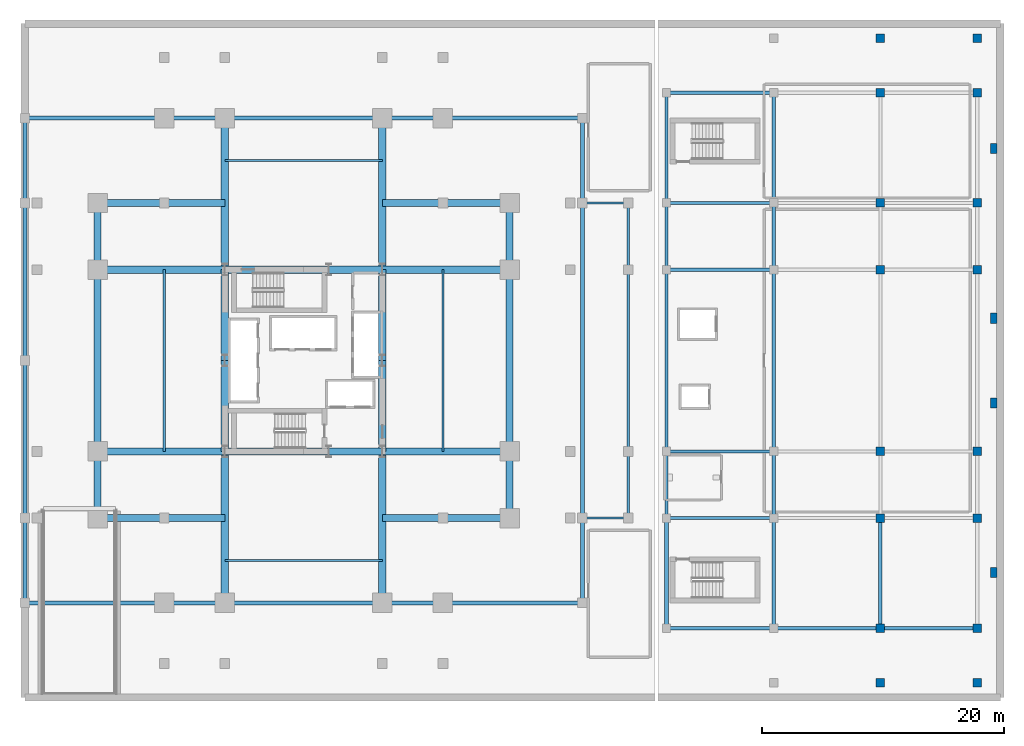
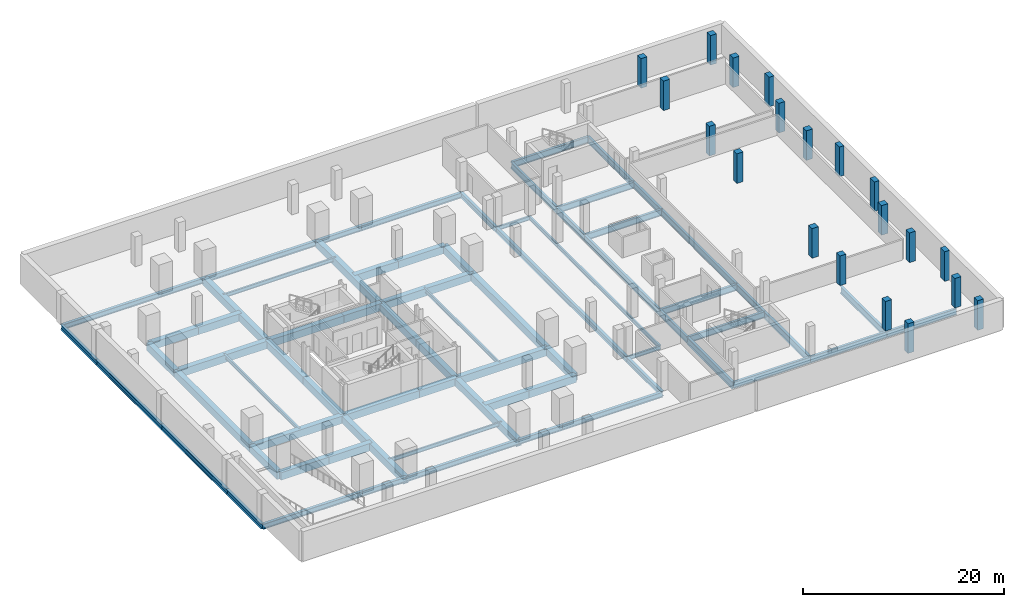
# One storey, part 2 of 11: 75 beams, 20 columns.
"""IFC4 building model written with IfcOpenShell, lengths in metres."""

from ifc_helpers import new_model, si_unit, direction, frame, origin, origin_2d, place, context, subcontext, project, spatial, rectangle, i_section, extrude, material, material_profile, profile_set, type_object, element, save


model = new_model("IFC4")

# Units and contexts
model_context = context("Model", 3, precision=1e-05, world=origin(), true_north=direction((0.0, 1.0)))
body_context = subcontext(model_context, "Body", "Model", "MODEL_VIEW")
ifc_project = project(units=[si_unit("LENGTHUNIT", "METRE"), si_unit("AREAUNIT", "SQUARE_METRE"), si_unit("VOLUMEUNIT", "CUBIC_METRE"), si_unit("PLANEANGLEUNIT", "RADIAN"), si_unit("MASSUNIT", "GRAM", prefix="KILO")], contexts=[model_context])

# Site, building, storey
site_placement = place(None, origin())
site = spatial("IfcSite", under=ifc_project, at=site_placement, CompositionType="ELEMENT")
building_placement = place(site_placement, origin())
building = spatial("IfcBuilding", under=site, at=building_placement, Name="Barlavira Tower and Art Museum", CompositionType="ELEMENT")
storey_placement = place(building_placement, frame((0.0, 0.0, -3.60009765625)))
storey = spatial("IfcBuildingStorey", under=building, at=storey_placement, Name="B01", CompositionType="ELEMENT", Elevation=-3.60009765625)

# Columns
ifc_material_1 = material(Name="Concrete C50", Category="concrete")
ifc_material_profile_1 = material_profile(ifc_material_1, rectangle(XDim=0.550048828125, YDim=0.85009765625, at=origin_2d()), Name="RC-PIL 550x850")
ifc_profile_set_1 = profile_set([ifc_material_profile_1], Name="Concrete C50")
column_type_1 = type_object("IfcColumnType", Name="Museum Coastal Facade Pilaster 550x850 Concrete C50", PredefinedType="PILASTER", material=ifc_profile_set_1)
for number, where, z_axis, x_axis, name in (
    (1, (56.949951171875, -17.5, 0.0), (0.0, 0.0, 1.0), (1.0, 0.0, 0.0), "B01 Museum Facade Pilaster 1"),
    (2, (56.949951171875, -3.5, 0.0), (0.0, 0.0, 1.0), (1.0, 0.0, 0.0), "B01 Museum Facade Pilaster 2"),
    (3, (56.949951171875, 3.5, 0.0), (0.0, 0.0, 1.0), (1.0, 0.0, 0.0), "B01 Museum Facade Pilaster 3"),
    (4, (56.949951171875, 17.5, 0.0), (0.0, 0.0, 1.0), (1.0, 0.0, 0.0), "B01 Museum Facade Pilaster 4"),
):
    element("IfcColumn", number, at=place(storey_placement, frame(where, z_axis=z_axis, x_axis=x_axis)), inside=storey, type_object=column_type_1, Name=name, PredefinedType="PILASTER", context=body_context, shape_type="SweptSolid", body=[
        extrude(rectangle(XDim=0.550048828125, YDim=0.85009765625, at=origin_2d()), origin(), (0.0, 0.0, 1.0), 3.60009765625),
    ])
ifc_material_profile_2 = material_profile(ifc_material_1, rectangle(XDim=0.699951171875, YDim=0.699951171875, at=origin_2d()), Name="RC-COL 700x700")
ifc_profile_set_2 = profile_set([ifc_material_profile_2], Name="Concrete C50")
column_type_2 = type_object("IfcColumnType", Name="Museum Frame Column 700x700 Concrete C50", PredefinedType="COLUMN", material=ifc_profile_set_2)
for number, where, z_axis, x_axis, name in (
    (5, (47.60009765625, -26.60009765625, 0.0), (0.0, 0.0, 1.0), (1.0, 0.0, 0.0), "B01 Pergola Column 2"),
    (6, (55.60009765625, -26.60009765625, 0.0), (0.0, 0.0, 1.0), (1.0, 0.0, 0.0), "B01 Pergola Column 3"),
    (7, (47.60009765625, 26.60009765625, 0.0), (0.0, 0.0, 1.0), (1.0, 0.0, 0.0), "B01 Pergola Column 5"),
    (8, (55.60009765625, 26.60009765625, 0.0), (0.0, 0.0, 1.0), (1.0, 0.0, 0.0), "B01 Pergola Column 6"),
    (9, (47.60009765625, -22.10009765625, 0.0), (0.0, 0.0, 1.0), (1.0, 0.0, 0.0), "B01 Museum Column 3-1"),
    (10, (47.60009765625, -13.0, 0.0), (0.0, 0.0, 1.0), (1.0, 0.0, 0.0), "B01 Museum Column 3-2"),
    (11, (47.60009765625, -7.5, 0.0), (0.0, 0.0, 1.0), (1.0, 0.0, 0.0), "B01 Museum Column 3-3"),
    (12, (47.60009765625, 7.5, 0.0), (0.0, 0.0, 1.0), (1.0, 0.0, 0.0), "B01 Museum Column 3-4"),
    (13, (47.60009765625, 13.0, 0.0), (0.0, 0.0, 1.0), (1.0, 0.0, 0.0), "B01 Museum Column 3-5"),
    (14, (47.60009765625, 22.10009765625, 0.0), (0.0, 0.0, 1.0), (1.0, 0.0, 0.0), "B01 Museum Column 3-6"),
    (15, (55.60009765625, -22.10009765625, 0.0), (0.0, 0.0, 1.0), (1.0, 0.0, 0.0), "B01 Museum Column 4-1"),
    (16, (55.60009765625, -13.0, 0.0), (0.0, 0.0, 1.0), (1.0, 0.0, 0.0), "B01 Museum Column 4-2"),
    (17, (55.60009765625, -7.5, 0.0), (0.0, 0.0, 1.0), (1.0, 0.0, 0.0), "B01 Museum Column 4-3"),
    (18, (55.60009765625, 7.5, 0.0), (0.0, 0.0, 1.0), (1.0, 0.0, 0.0), "B01 Museum Column 4-4"),
    (19, (55.60009765625, 13.0, 0.0), (0.0, 0.0, 1.0), (1.0, 0.0, 0.0), "B01 Museum Column 4-5"),
    (20, (55.60009765625, 22.10009765625, 0.0), (0.0, 0.0, 1.0), (1.0, 0.0, 0.0), "B01 Museum Column 4-6"),
):
    element("IfcColumn", number, at=place(storey_placement, frame(where, z_axis=z_axis, x_axis=x_axis)), inside=storey, type_object=column_type_2, Name=name, PredefinedType="COLUMN", context=body_context, shape_type="SweptSolid", body=[
        extrude(rectangle(XDim=0.699951171875, YDim=0.699951171875, at=origin_2d()), origin(), (0.0, 0.0, 1.0), 3.60009765625),
    ])

# Beams
ifc_material_2 = material(Name="Steel S355", Category="steel")
ifc_material_profile_3 = material_profile(ifc_material_2, i_section(OverallWidth=0.194091796875, OverallDepth=0.468994140625, WebThickness=0.0126953125, FlangeThickness=0.0205078125, at=origin_2d()), Name="W460x106.0")
ifc_profile_set_3 = profile_set([ifc_material_profile_3], Name="Steel S355")
beam_type_1 = type_object("IfcBeamType", Name="Covered Arcade Roof Girder W460x106 Steel S355", PredefinedType="BEAM", material=ifc_profile_set_3)
for number, where, z_axis, x_axis, name in (
    (21, (23.0, -13.0, -0.534423828125), (1.0, 0.0, 0.0), (0.0, 1.0, 0.0), "B01 Arcade West Girder 1"),
    (22, (23.0, 13.0, -0.534423828125), (1.0, 0.0, 0.0), (0.0, 1.0, 0.0), "B01 Arcade West Girder 2"),
):
    element("IfcBeam", number, at=place(storey_placement, frame(where, z_axis=z_axis, x_axis=x_axis)), inside=storey, type_object=beam_type_1, Name=name, PredefinedType="BEAM", context=body_context, shape_type="SweptSolid", body=[
        extrude(i_section(OverallWidth=0.194091796875, OverallDepth=0.468994140625, WebThickness=0.0126953125, FlangeThickness=0.0205078125, at=origin_2d()), origin(), (0.0, 0.0, 1.0), 3.800048828125),
    ])
beam_1_placement = place(storey_placement, frame((26.800048828125, -13.0, -0.534423828125), z_axis=(0.0, 1.0, 0.0), x_axis=(-1.0, 0.0, 0.0)))
element("IfcBeam", 23, at=beam_1_placement, inside=storey, type_object=beam_type_1, Name="B01 Arcade Longitudinal Beam 1", PredefinedType="BEAM", context=body_context, shape_type="SweptSolid", body=[
    extrude(i_section(OverallWidth=0.194091796875, OverallDepth=0.468994140625, WebThickness=0.0126953125, FlangeThickness=0.0205078125, at=origin_2d()), origin(), (0.0, 0.0, 1.0), 5.5),
])
beam_2_placement = place(storey_placement, frame((26.800048828125, -7.5, -0.534423828125), z_axis=(0.0, 1.0, 0.0), x_axis=(-1.0, 0.0, 0.0)))
element("IfcBeam", 24, at=beam_2_placement, inside=storey, type_object=beam_type_1, Name="B01 Arcade Longitudinal Beam 2", PredefinedType="BEAM", context=body_context, shape_type="SweptSolid", body=[
    extrude(i_section(OverallWidth=0.194091796875, OverallDepth=0.468994140625, WebThickness=0.0126953125, FlangeThickness=0.0205078125, at=origin_2d()), origin(), (0.0, 0.0, 1.0), 15.0),
])
beam_3_placement = place(storey_placement, frame((26.800048828125, 7.5, -0.534423828125), z_axis=(0.0, 1.0, 0.0), x_axis=(-1.0, 0.0, 0.0)))
element("IfcBeam", 25, at=beam_3_placement, inside=storey, type_object=beam_type_1, Name="B01 Arcade Longitudinal Beam 3", PredefinedType="BEAM", context=body_context, shape_type="SweptSolid", body=[
    extrude(i_section(OverallWidth=0.194091796875, OverallDepth=0.468994140625, WebThickness=0.0126953125, FlangeThickness=0.0205078125, at=origin_2d()), origin(), (0.0, 0.0, 1.0), 5.5),
])
ifc_material_profile_4 = material_profile(ifc_material_2, i_section(OverallWidth=0.2939453125, OverallDepth=0.85107421875, WebThickness=0.017333984375, FlangeThickness=0.0283203125, at=origin_2d()), Name="W840x251.0")
ifc_profile_set_4 = profile_set([ifc_material_profile_4], Name="Steel S355")
beam_type_2 = type_object("IfcBeamType", Name="Museum Auditorium Heavy Girder W840x251 Steel S355", PredefinedType="BEAM", material=ifc_profile_set_4)
for number, where, z_axis, x_axis, name in (
    (26, (29.949951171875, -22.10009765625, -0.725341796875), (0.0, 1.0, 0.0), (-1.0, 0.0, 0.0), "B01 Museum Girder Y 1-1"),
    (27, (38.800048828125, -22.10009765625, -0.725341796875), (0.0, 1.0, 0.0), (-1.0, 0.0, 0.0), "B01 Museum Girder Y 2-1"),
    (28, (47.60009765625, -22.10009765625, -0.725341796875), (0.0, 1.0, 0.0), (-1.0, 0.0, 0.0), "B01 Museum Girder Y 3-1"),
):
    element("IfcBeam", number, at=place(storey_placement, frame(where, z_axis=z_axis, x_axis=x_axis)), inside=storey, type_object=beam_type_2, Name=name, PredefinedType="BEAM", context=body_context, shape_type="SweptSolid", body=[
        extrude(i_section(OverallWidth=0.2939453125, OverallDepth=0.85107421875, WebThickness=0.017333984375, FlangeThickness=0.0283203125, at=origin_2d()), origin(), (0.0, 0.0, 1.0), 9.10009765625),
    ])
ifc_material_profile_5 = material_profile(ifc_material_2, i_section(OverallWidth=0.26904296875, OverallDepth=0.76806640625, WebThickness=0.016845703125, FlangeThickness=0.026611328125, at=origin_2d()), Name="W760x220.0")
ifc_profile_set_5 = profile_set([ifc_material_profile_5], Name="Steel S355")
beam_type_3 = type_object("IfcBeamType", Name="Museum Long-Span Gallery Girder W760x220 Steel S355", PredefinedType="BEAM", material=ifc_profile_set_5)
beam_4_placement = place(storey_placement, frame((29.949951171875, -13.0, -0.683837890625), z_axis=(0.0, 1.0, 0.0), x_axis=(-1.0, 0.0, 0.0)))
element("IfcBeam", 29, at=beam_4_placement, inside=storey, type_object=beam_type_3, Name="B01 Museum Girder Y 1-2", PredefinedType="BEAM", context=body_context, shape_type="SweptSolid", body=[
    extrude(i_section(OverallWidth=0.26904296875, OverallDepth=0.76806640625, WebThickness=0.016845703125, FlangeThickness=0.026611328125, at=origin_2d()), origin(), (0.0, 0.0, 1.0), 5.5),
])
beam_5_placement = place(storey_placement, frame((29.949951171875, -7.5, -0.683837890625), z_axis=(0.0, 1.0, 0.0), x_axis=(-1.0, 0.0, 0.0)))
element("IfcBeam", 30, at=beam_5_placement, inside=storey, type_object=beam_type_3, Name="B01 Museum Girder Y 1-3", PredefinedType="BEAM", context=body_context, shape_type="SweptSolid", body=[
    extrude(i_section(OverallWidth=0.26904296875, OverallDepth=0.76806640625, WebThickness=0.016845703125, FlangeThickness=0.026611328125, at=origin_2d()), origin(), (0.0, 0.0, 1.0), 15.0),
])
beam_6_placement = place(storey_placement, frame((29.949951171875, 7.5, -0.683837890625), z_axis=(0.0, 1.0, 0.0), x_axis=(-1.0, 0.0, 0.0)))
element("IfcBeam", 31, at=beam_6_placement, inside=storey, type_object=beam_type_3, Name="B01 Museum Girder Y 1-4", PredefinedType="BEAM", context=body_context, shape_type="SweptSolid", body=[
    extrude(i_section(OverallWidth=0.26904296875, OverallDepth=0.76806640625, WebThickness=0.016845703125, FlangeThickness=0.026611328125, at=origin_2d()), origin(), (0.0, 0.0, 1.0), 5.5),
])
beam_7_placement = place(storey_placement, frame((29.949951171875, 13.0, -0.683837890625), z_axis=(0.0, 1.0, 0.0), x_axis=(-1.0, 0.0, 0.0)))
element("IfcBeam", 32, at=beam_7_placement, inside=storey, type_object=beam_type_3, Name="B01 Museum Girder Y 1-5", PredefinedType="BEAM", context=body_context, shape_type="SweptSolid", body=[
    extrude(i_section(OverallWidth=0.26904296875, OverallDepth=0.76806640625, WebThickness=0.016845703125, FlangeThickness=0.026611328125, at=origin_2d()), origin(), (0.0, 0.0, 1.0), 9.10009765625),
])
beam_8_placement = place(storey_placement, frame((38.800048828125, -13.0, -0.683837890625), z_axis=(0.0, 1.0, 0.0), x_axis=(-1.0, 0.0, 0.0)))
element("IfcBeam", 33, at=beam_8_placement, inside=storey, type_object=beam_type_3, Name="B01 Museum Girder Y 2-2", PredefinedType="BEAM", context=body_context, shape_type="SweptSolid", body=[
    extrude(i_section(OverallWidth=0.26904296875, OverallDepth=0.76806640625, WebThickness=0.016845703125, FlangeThickness=0.026611328125, at=origin_2d()), origin(), (0.0, 0.0, 1.0), 5.5),
])
beam_9_placement = place(storey_placement, frame((38.800048828125, -7.5, -0.683837890625), z_axis=(0.0, 1.0, 0.0), x_axis=(-1.0, 0.0, 0.0)))
element("IfcBeam", 34, at=beam_9_placement, inside=storey, type_object=beam_type_3, Name="B01 Museum Girder Y 2-3", PredefinedType="BEAM", context=body_context, shape_type="SweptSolid", body=[
    extrude(i_section(OverallWidth=0.26904296875, OverallDepth=0.76806640625, WebThickness=0.016845703125, FlangeThickness=0.026611328125, at=origin_2d()), origin(), (0.0, 0.0, 1.0), 15.0),
])
beam_10_placement = place(storey_placement, frame((38.800048828125, 7.5, -0.683837890625), z_axis=(0.0, 1.0, 0.0), x_axis=(-1.0, 0.0, 0.0)))
element("IfcBeam", 35, at=beam_10_placement, inside=storey, type_object=beam_type_3, Name="B01 Museum Girder Y 2-4", PredefinedType="BEAM", context=body_context, shape_type="SweptSolid", body=[
    extrude(i_section(OverallWidth=0.26904296875, OverallDepth=0.76806640625, WebThickness=0.016845703125, FlangeThickness=0.026611328125, at=origin_2d()), origin(), (0.0, 0.0, 1.0), 5.5),
])
beam_11_placement = place(storey_placement, frame((38.800048828125, 13.0, -0.683837890625), z_axis=(0.0, 1.0, 0.0), x_axis=(-1.0, 0.0, 0.0)))
element("IfcBeam", 36, at=beam_11_placement, inside=storey, type_object=beam_type_3, Name="B01 Museum Girder Y 2-5", PredefinedType="BEAM", context=body_context, shape_type="SweptSolid", body=[
    extrude(i_section(OverallWidth=0.26904296875, OverallDepth=0.76806640625, WebThickness=0.016845703125, FlangeThickness=0.026611328125, at=origin_2d()), origin(), (0.0, 0.0, 1.0), 9.10009765625),
])
beam_12_placement = place(storey_placement, frame((29.949951171875, -22.10009765625, -0.683837890625), z_axis=(1.0, 0.0, 0.0), x_axis=(0.0, 1.0, 0.0)))
element("IfcBeam", 37, at=beam_12_placement, inside=storey, type_object=beam_type_3, Name="B01 Museum Girder X 1-1", PredefinedType="BEAM", context=body_context, shape_type="SweptSolid", body=[
    extrude(i_section(OverallWidth=0.26904296875, OverallDepth=0.76806640625, WebThickness=0.016845703125, FlangeThickness=0.026611328125, at=origin_2d()), origin(), (0.0, 0.0, 1.0), 8.85009765625),
])
beam_13_placement = place(storey_placement, frame((38.800048828125, -22.10009765625, -0.683837890625), z_axis=(1.0, 0.0, 0.0), x_axis=(0.0, 1.0, 0.0)))
element("IfcBeam", 38, at=beam_13_placement, inside=storey, type_object=beam_type_3, Name="B01 Museum Girder X 1-2", PredefinedType="BEAM", context=body_context, shape_type="SweptSolid", body=[
    extrude(i_section(OverallWidth=0.26904296875, OverallDepth=0.76806640625, WebThickness=0.016845703125, FlangeThickness=0.026611328125, at=origin_2d()), origin(), (0.0, 0.0, 1.0), 8.800048828125),
])
beam_14_placement = place(storey_placement, frame((47.60009765625, -22.10009765625, -0.683837890625), z_axis=(1.0, 0.0, 0.0), x_axis=(0.0, 1.0, 0.0)))
element("IfcBeam", 39, at=beam_14_placement, inside=storey, type_object=beam_type_3, Name="B01 Museum Girder X 1-3", PredefinedType="BEAM", context=body_context, shape_type="SweptSolid", body=[
    extrude(i_section(OverallWidth=0.26904296875, OverallDepth=0.76806640625, WebThickness=0.016845703125, FlangeThickness=0.026611328125, at=origin_2d()), origin(), (0.0, 0.0, 1.0), 8.0),
])
for number, where, z_axis, x_axis, name in (
    (40, (29.949951171875, -13.0, -0.683837890625), (1.0, 0.0, 0.0), (0.0, 1.0, 0.0), "B01 Museum Girder X 2-1"),
    (41, (29.949951171875, -7.5, -0.683837890625), (1.0, 0.0, 0.0), (0.0, 1.0, 0.0), "B01 Museum Girder X 3-1"),
    (42, (29.949951171875, 7.5, -0.683837890625), (1.0, 0.0, 0.0), (0.0, 1.0, 0.0), "B01 Museum Girder X 4-1"),
    (43, (29.949951171875, 13.0, -0.683837890625), (1.0, 0.0, 0.0), (0.0, 1.0, 0.0), "B01 Museum Girder X 5-1"),
    (44, (29.949951171875, 22.10009765625, -0.683837890625), (1.0, 0.0, 0.0), (0.0, 1.0, 0.0), "B01 Museum Girder X 6-1"),
):
    element("IfcBeam", number, at=place(storey_placement, frame(where, z_axis=z_axis, x_axis=x_axis)), inside=storey, type_object=beam_type_3, Name=name, PredefinedType="BEAM", context=body_context, shape_type="SweptSolid", body=[
        extrude(i_section(OverallWidth=0.26904296875, OverallDepth=0.76806640625, WebThickness=0.016845703125, FlangeThickness=0.026611328125, at=origin_2d()), origin(), (0.0, 0.0, 1.0), 8.85009765625),
    ])
ifc_material_profile_6 = material_profile(ifc_material_2, i_section(OverallWidth=0.327880859375, OverallDepth=0.62890625, WebThickness=0.013916015625, FlangeThickness=0.021484375, at=origin_2d()), Name="W610x174.0")
ifc_profile_set_6 = profile_set([ifc_material_profile_6], Name="Steel S355")
beam_type_4 = type_object("IfcBeamType", Name="Perimeter Spandrel Edge Beam W610x174 Steel S355", PredefinedType="SPANDREL", material=ifc_profile_set_6)
beam_15_placement = place(storey_placement, frame((-23.0, -20.0, -0.614501953125), z_axis=(1.0, 0.0, 0.0), x_axis=(0.0, 1.0, 0.0)))
element("IfcBeam", 45, at=beam_15_placement, inside=storey, type_object=beam_type_4, Name="B01 Podium Spandrel PS1", PredefinedType="SPANDREL", context=body_context, shape_type="SweptSolid", body=[
    extrude(i_section(OverallWidth=0.327880859375, OverallDepth=0.62890625, WebThickness=0.013916015625, FlangeThickness=0.021484375, at=origin_2d()), origin(), (0.0, 0.0, 1.0), 11.5),
])
beam_16_placement = place(storey_placement, frame((-11.5, -20.0, -0.614501953125), z_axis=(1.0, 0.0, 0.0), x_axis=(0.0, 1.0, 0.0)))
element("IfcBeam", 46, at=beam_16_placement, inside=storey, type_object=beam_type_4, Name="B01 Podium Spandrel PS2", PredefinedType="SPANDREL", context=body_context, shape_type="SweptSolid", body=[
    extrude(i_section(OverallWidth=0.327880859375, OverallDepth=0.62890625, WebThickness=0.013916015625, FlangeThickness=0.021484375, at=origin_2d()), origin(), (0.0, 0.0, 1.0), 5.0),
])
beam_17_placement = place(storey_placement, frame((-6.5, -20.0, -0.614501953125), z_axis=(1.0, 0.0, 0.0), x_axis=(0.0, 1.0, 0.0)))
element("IfcBeam", 47, at=beam_17_placement, inside=storey, type_object=beam_type_4, Name="B01 Podium Spandrel PS3", PredefinedType="SPANDREL", context=body_context, shape_type="SweptSolid", body=[
    extrude(i_section(OverallWidth=0.327880859375, OverallDepth=0.62890625, WebThickness=0.013916015625, FlangeThickness=0.021484375, at=origin_2d()), origin(), (0.0, 0.0, 1.0), 13.0),
])
beam_18_placement = place(storey_placement, frame((6.5, -20.0, -0.614501953125), z_axis=(1.0, 0.0, 0.0), x_axis=(0.0, 1.0, 0.0)))
element("IfcBeam", 48, at=beam_18_placement, inside=storey, type_object=beam_type_4, Name="B01 Podium Spandrel PS4", PredefinedType="SPANDREL", context=body_context, shape_type="SweptSolid", body=[
    extrude(i_section(OverallWidth=0.327880859375, OverallDepth=0.62890625, WebThickness=0.013916015625, FlangeThickness=0.021484375, at=origin_2d()), origin(), (0.0, 0.0, 1.0), 5.0),
])
for number, where, z_axis, x_axis, name in (
    (49, (11.5, -20.0, -0.614501953125), (1.0, 0.0, 0.0), (0.0, 1.0, 0.0), "B01 Podium Spandrel PS5"),
    (50, (-23.0, 20.0, -0.614501953125), (1.0, 0.0, 0.0), (0.0, 1.0, 0.0), "B01 Podium Spandrel PN1"),
):
    element("IfcBeam", number, at=place(storey_placement, frame(where, z_axis=z_axis, x_axis=x_axis)), inside=storey, type_object=beam_type_4, Name=name, PredefinedType="SPANDREL", context=body_context, shape_type="SweptSolid", body=[
        extrude(i_section(OverallWidth=0.327880859375, OverallDepth=0.62890625, WebThickness=0.013916015625, FlangeThickness=0.021484375, at=origin_2d()), origin(), (0.0, 0.0, 1.0), 11.5),
    ])
beam_19_placement = place(storey_placement, frame((-11.5, 20.0, -0.614501953125), z_axis=(1.0, 0.0, 0.0), x_axis=(0.0, 1.0, 0.0)))
element("IfcBeam", 51, at=beam_19_placement, inside=storey, type_object=beam_type_4, Name="B01 Podium Spandrel PN2", PredefinedType="SPANDREL", context=body_context, shape_type="SweptSolid", body=[
    extrude(i_section(OverallWidth=0.327880859375, OverallDepth=0.62890625, WebThickness=0.013916015625, FlangeThickness=0.021484375, at=origin_2d()), origin(), (0.0, 0.0, 1.0), 5.0),
])
beam_20_placement = place(storey_placement, frame((-6.5, 20.0, -0.614501953125), z_axis=(1.0, 0.0, 0.0), x_axis=(0.0, 1.0, 0.0)))
element("IfcBeam", 52, at=beam_20_placement, inside=storey, type_object=beam_type_4, Name="B01 Podium Spandrel PN3", PredefinedType="SPANDREL", context=body_context, shape_type="SweptSolid", body=[
    extrude(i_section(OverallWidth=0.327880859375, OverallDepth=0.62890625, WebThickness=0.013916015625, FlangeThickness=0.021484375, at=origin_2d()), origin(), (0.0, 0.0, 1.0), 13.0),
])
beam_21_placement = place(storey_placement, frame((6.5, 20.0, -0.614501953125), z_axis=(1.0, 0.0, 0.0), x_axis=(0.0, 1.0, 0.0)))
element("IfcBeam", 53, at=beam_21_placement, inside=storey, type_object=beam_type_4, Name="B01 Podium Spandrel PN4", PredefinedType="SPANDREL", context=body_context, shape_type="SweptSolid", body=[
    extrude(i_section(OverallWidth=0.327880859375, OverallDepth=0.62890625, WebThickness=0.013916015625, FlangeThickness=0.021484375, at=origin_2d()), origin(), (0.0, 0.0, 1.0), 5.0),
])
beam_22_placement = place(storey_placement, frame((11.5, 20.0, -0.614501953125), z_axis=(1.0, 0.0, 0.0), x_axis=(0.0, 1.0, 0.0)))
element("IfcBeam", 54, at=beam_22_placement, inside=storey, type_object=beam_type_4, Name="B01 Podium Spandrel PN5", PredefinedType="SPANDREL", context=body_context, shape_type="SweptSolid", body=[
    extrude(i_section(OverallWidth=0.327880859375, OverallDepth=0.62890625, WebThickness=0.013916015625, FlangeThickness=0.021484375, at=origin_2d()), origin(), (0.0, 0.0, 1.0), 11.5),
])
beam_23_placement = place(storey_placement, frame((-23.0, -20.0, -0.614501953125), z_axis=(0.0, 1.0, 0.0), x_axis=(-1.0, 0.0, 0.0)))
element("IfcBeam", 55, at=beam_23_placement, inside=storey, type_object=beam_type_4, Name="B01 Podium Spandrel PW1", PredefinedType="SPANDREL", context=body_context, shape_type="SweptSolid", body=[
    extrude(i_section(OverallWidth=0.327880859375, OverallDepth=0.62890625, WebThickness=0.013916015625, FlangeThickness=0.021484375, at=origin_2d()), origin(), (0.0, 0.0, 1.0), 7.0),
])
for number, where, z_axis, x_axis, name in (
    (56, (-23.0, -13.0, -0.614501953125), (0.0, 1.0, 0.0), (-1.0, 0.0, 0.0), "B01 Podium Spandrel PW2"),
    (57, (-23.0, 0.0, -0.614501953125), (0.0, 1.0, 0.0), (-1.0, 0.0, 0.0), "B01 Podium Spandrel PW3"),
):
    element("IfcBeam", number, at=place(storey_placement, frame(where, z_axis=z_axis, x_axis=x_axis)), inside=storey, type_object=beam_type_4, Name=name, PredefinedType="SPANDREL", context=body_context, shape_type="SweptSolid", body=[
        extrude(i_section(OverallWidth=0.327880859375, OverallDepth=0.62890625, WebThickness=0.013916015625, FlangeThickness=0.021484375, at=origin_2d()), origin(), (0.0, 0.0, 1.0), 13.0),
    ])
for number, where, z_axis, x_axis, name in (
    (58, (-23.0, 13.0, -0.614501953125), (0.0, 1.0, 0.0), (-1.0, 0.0, 0.0), "B01 Podium Spandrel PW4"),
    (59, (23.0, -20.0, -0.614501953125), (0.0, 1.0, 0.0), (-1.0, 0.0, 0.0), "B01 Podium Spandrel PE1"),
):
    element("IfcBeam", number, at=place(storey_placement, frame(where, z_axis=z_axis, x_axis=x_axis)), inside=storey, type_object=beam_type_4, Name=name, PredefinedType="SPANDREL", context=body_context, shape_type="SweptSolid", body=[
        extrude(i_section(OverallWidth=0.327880859375, OverallDepth=0.62890625, WebThickness=0.013916015625, FlangeThickness=0.021484375, at=origin_2d()), origin(), (0.0, 0.0, 1.0), 7.0),
    ])
beam_24_placement = place(storey_placement, frame((23.0, -13.0, -0.614501953125), z_axis=(0.0, 1.0, 0.0), x_axis=(-1.0, 0.0, 0.0)))
element("IfcBeam", 60, at=beam_24_placement, inside=storey, type_object=beam_type_4, Name="B01 Podium Spandrel PE2", PredefinedType="SPANDREL", context=body_context, shape_type="SweptSolid", body=[
    extrude(i_section(OverallWidth=0.327880859375, OverallDepth=0.62890625, WebThickness=0.013916015625, FlangeThickness=0.021484375, at=origin_2d()), origin(), (0.0, 0.0, 1.0), 26.0),
])
beam_25_placement = place(storey_placement, frame((23.0, 13.0, -0.614501953125), z_axis=(0.0, 1.0, 0.0), x_axis=(-1.0, 0.0, 0.0)))
element("IfcBeam", 61, at=beam_25_placement, inside=storey, type_object=beam_type_4, Name="B01 Podium Spandrel PE3", PredefinedType="SPANDREL", context=body_context, shape_type="SweptSolid", body=[
    extrude(i_section(OverallWidth=0.327880859375, OverallDepth=0.62890625, WebThickness=0.013916015625, FlangeThickness=0.021484375, at=origin_2d()), origin(), (0.0, 0.0, 1.0), 7.0),
])
ifc_material_profile_7 = material_profile(ifc_material_2, i_section(OverallWidth=0.19189453125, OverallDepth=0.462890625, WebThickness=0.010498046875, FlangeThickness=0.017578125, at=origin_2d()), Name="W460x89.0")
ifc_profile_set_7 = profile_set([ifc_material_profile_7], Name="Steel S355")
beam_type_5 = type_object("IfcBeamType", Name="Podium Floor Joist W460x89 Steel S355", PredefinedType="JOIST", material=ifc_profile_set_7)
for number, where, z_axis, x_axis, name in (
    (62, (-6.5, -16.5, -0.531494140625), (1.0, 0.0, 0.0), (0.0, 1.0, 0.0), "B01 Joist C1"),
    (63, (-6.5, 16.5, -0.531494140625), (1.0, 0.0, 0.0), (0.0, 1.0, 0.0), "B01 Joist C2"),
):
    element("IfcBeam", number, at=place(storey_placement, frame(where, z_axis=z_axis, x_axis=x_axis)), inside=storey, type_object=beam_type_5, Name=name, PredefinedType="JOIST", context=body_context, shape_type="SweptSolid", body=[
        extrude(i_section(OverallWidth=0.19189453125, OverallDepth=0.462890625, WebThickness=0.010498046875, FlangeThickness=0.017578125, at=origin_2d()), origin(), (0.0, 0.0, 1.0), 13.0),
    ])
for number, where, z_axis, x_axis, name in (
    (64, (-11.5, -7.5, -0.531494140625), (0.0, 1.0, 0.0), (-1.0, 0.0, 0.0), "B01 Joist W1"),
    (65, (11.5, -7.5, -0.531494140625), (0.0, 1.0, 0.0), (-1.0, 0.0, 0.0), "B01 Joist W2"),
):
    element("IfcBeam", number, at=place(storey_placement, frame(where, z_axis=z_axis, x_axis=x_axis)), inside=storey, type_object=beam_type_5, Name=name, PredefinedType="JOIST", context=body_context, shape_type="SweptSolid", body=[
        extrude(i_section(OverallWidth=0.19189453125, OverallDepth=0.462890625, WebThickness=0.010498046875, FlangeThickness=0.017578125, at=origin_2d()), origin(), (0.0, 0.0, 1.0), 15.0),
    ])
ifc_material_profile_8 = material_profile(ifc_material_1, rectangle(XDim=0.60009765625, YDim=0.89990234375, at=origin_2d()), Name="RC-BM 600x900")
ifc_profile_set_8 = profile_set([ifc_material_profile_8], Name="Concrete C50")
beam_type_6 = type_object("IfcBeamType", Name="Substructure RC Girder 600x900 Concrete C50", PredefinedType="BEAM", material=ifc_profile_set_8)
beam_26_placement = place(storey_placement, frame((-6.5, -7.5, -0.75), z_axis=(1.0, 0.0, 0.0), x_axis=(0.0, 1.0, 0.0)))
element("IfcBeam", 66, at=beam_26_placement, inside=storey, type_object=beam_type_6, Name="B01 Girder C-S1", PredefinedType="BEAM", context=body_context, shape_type="SweptSolid", body=[
    extrude(rectangle(XDim=0.60009765625, YDim=0.89990234375, at=origin_2d()), origin(), (0.0, 0.0, 1.0), 8.580078125),
])
beam_27_placement = place(storey_placement, frame((2.080078125, -7.5, -0.75), z_axis=(1.0, 0.0, 0.0), x_axis=(0.0, 1.0, 0.0)))
element("IfcBeam", 67, at=beam_27_placement, inside=storey, type_object=beam_type_6, Name="B01 Girder C-S2", PredefinedType="BEAM", context=body_context, shape_type="SweptSolid", body=[
    extrude(rectangle(XDim=0.60009765625, YDim=0.89990234375, at=origin_2d()), origin(), (0.0, 0.0, 1.0), 4.419921875),
])
beam_28_placement = place(storey_placement, frame((-6.5, 7.5, -0.75), z_axis=(1.0, 0.0, 0.0), x_axis=(0.0, 1.0, 0.0)))
element("IfcBeam", 68, at=beam_28_placement, inside=storey, type_object=beam_type_6, Name="B01 Girder C-N1", PredefinedType="BEAM", context=body_context, shape_type="SweptSolid", body=[
    extrude(rectangle(XDim=0.60009765625, YDim=0.89990234375, at=origin_2d()), origin(), (0.0, 0.0, 1.0), 8.580078125),
])
beam_29_placement = place(storey_placement, frame((2.080078125, 7.5, -0.75), z_axis=(1.0, 0.0, 0.0), x_axis=(0.0, 1.0, 0.0)))
element("IfcBeam", 69, at=beam_29_placement, inside=storey, type_object=beam_type_6, Name="B01 Girder C-N2", PredefinedType="BEAM", context=body_context, shape_type="SweptSolid", body=[
    extrude(rectangle(XDim=0.60009765625, YDim=0.89990234375, at=origin_2d()), origin(), (0.0, 0.0, 1.0), 4.419921875),
])
for number, where, z_axis, x_axis, name in (
    (70, (-6.5, -7.5, -0.75), (0.0, 1.0, 0.0), (-1.0, 0.0, 0.0), "B01 Girder C-W1"),
    (71, (-6.5, 0.0, -0.75), (0.0, 1.0, 0.0), (-1.0, 0.0, 0.0), "B01 Girder C-W2"),
    (72, (6.5, -7.5, -0.75), (0.0, 1.0, 0.0), (-1.0, 0.0, 0.0), "B01 Girder C-E1"),
    (73, (6.5, 0.0, -0.75), (0.0, 1.0, 0.0), (-1.0, 0.0, 0.0), "B01 Girder C-E2"),
):
    element("IfcBeam", number, at=place(storey_placement, frame(where, z_axis=z_axis, x_axis=x_axis)), inside=storey, type_object=beam_type_6, Name=name, PredefinedType="BEAM", context=body_context, shape_type="SweptSolid", body=[
        extrude(rectangle(XDim=0.60009765625, YDim=0.89990234375, at=origin_2d()), origin(), (0.0, 0.0, 1.0), 7.5),
    ])
beam_30_placement = place(storey_placement, frame((-17.0, -13.0, -0.75), z_axis=(0.0, 1.0, 0.0), x_axis=(-1.0, 0.0, 0.0)))
element("IfcBeam", 74, at=beam_30_placement, inside=storey, type_object=beam_type_6, Name="B01 Girder M-W1", PredefinedType="BEAM", context=body_context, shape_type="SweptSolid", body=[
    extrude(rectangle(XDim=0.60009765625, YDim=0.89990234375, at=origin_2d()), origin(), (0.0, 0.0, 1.0), 5.5),
])
beam_31_placement = place(storey_placement, frame((-17.0, -7.5, -0.75), z_axis=(0.0, 1.0, 0.0), x_axis=(-1.0, 0.0, 0.0)))
element("IfcBeam", 75, at=beam_31_placement, inside=storey, type_object=beam_type_6, Name="B01 Girder M-W2", PredefinedType="BEAM", context=body_context, shape_type="SweptSolid", body=[
    extrude(rectangle(XDim=0.60009765625, YDim=0.89990234375, at=origin_2d()), origin(), (0.0, 0.0, 1.0), 15.0),
])
for number, where, z_axis, x_axis, name in (
    (76, (-17.0, 7.5, -0.75), (0.0, 1.0, 0.0), (-1.0, 0.0, 0.0), "B01 Girder M-W3"),
    (77, (17.0, -13.0, -0.75), (0.0, 1.0, 0.0), (-1.0, 0.0, 0.0), "B01 Girder M-E1"),
):
    element("IfcBeam", number, at=place(storey_placement, frame(where, z_axis=z_axis, x_axis=x_axis)), inside=storey, type_object=beam_type_6, Name=name, PredefinedType="BEAM", context=body_context, shape_type="SweptSolid", body=[
        extrude(rectangle(XDim=0.60009765625, YDim=0.89990234375, at=origin_2d()), origin(), (0.0, 0.0, 1.0), 5.5),
    ])
beam_32_placement = place(storey_placement, frame((17.0, -7.5, -0.75), z_axis=(0.0, 1.0, 0.0), x_axis=(-1.0, 0.0, 0.0)))
element("IfcBeam", 78, at=beam_32_placement, inside=storey, type_object=beam_type_6, Name="B01 Girder M-E2", PredefinedType="BEAM", context=body_context, shape_type="SweptSolid", body=[
    extrude(rectangle(XDim=0.60009765625, YDim=0.89990234375, at=origin_2d()), origin(), (0.0, 0.0, 1.0), 15.0),
])
beam_33_placement = place(storey_placement, frame((17.0, 7.5, -0.75), z_axis=(0.0, 1.0, 0.0), x_axis=(-1.0, 0.0, 0.0)))
element("IfcBeam", 79, at=beam_33_placement, inside=storey, type_object=beam_type_6, Name="B01 Girder M-E3", PredefinedType="BEAM", context=body_context, shape_type="SweptSolid", body=[
    extrude(rectangle(XDim=0.60009765625, YDim=0.89990234375, at=origin_2d()), origin(), (0.0, 0.0, 1.0), 5.5),
])
for number, where, z_axis, x_axis, name in (
    (80, (-6.5, -20.0, -0.75), (0.0, 1.0, 0.0), (-1.0, 0.0, 0.0), "B01 Girder R-S1"),
    (81, (6.5, -20.0, -0.75), (0.0, 1.0, 0.0), (-1.0, 0.0, 0.0), "B01 Girder R-S2"),
    (82, (-6.5, 7.5, -0.75), (0.0, 1.0, 0.0), (-1.0, 0.0, 0.0), "B01 Girder R-N1"),
    (83, (6.5, 7.5, -0.75), (0.0, 1.0, 0.0), (-1.0, 0.0, 0.0), "B01 Girder R-N2"),
):
    element("IfcBeam", number, at=place(storey_placement, frame(where, z_axis=z_axis, x_axis=x_axis)), inside=storey, type_object=beam_type_6, Name=name, PredefinedType="BEAM", context=body_context, shape_type="SweptSolid", body=[
        extrude(rectangle(XDim=0.60009765625, YDim=0.89990234375, at=origin_2d()), origin(), (0.0, 0.0, 1.0), 12.5),
    ])
for number, where, z_axis, x_axis, name in (
    (84, (-17.0, -7.5, -0.75), (1.0, 0.0, 0.0), (0.0, 1.0, 0.0), "B01 Girder R-W1"),
    (85, (-17.0, 7.5, -0.75), (1.0, 0.0, 0.0), (0.0, 1.0, 0.0), "B01 Girder R-W2"),
    (86, (6.5, -7.5, -0.75), (1.0, 0.0, 0.0), (0.0, 1.0, 0.0), "B01 Girder R-E1"),
    (87, (6.5, 7.5, -0.75), (1.0, 0.0, 0.0), (0.0, 1.0, 0.0), "B01 Girder R-E2"),
):
    element("IfcBeam", number, at=place(storey_placement, frame(where, z_axis=z_axis, x_axis=x_axis)), inside=storey, type_object=beam_type_6, Name=name, PredefinedType="BEAM", context=body_context, shape_type="SweptSolid", body=[
        extrude(rectangle(XDim=0.60009765625, YDim=0.89990234375, at=origin_2d()), origin(), (0.0, 0.0, 1.0), 10.5),
    ])
beam_34_placement = place(storey_placement, frame((-17.0, -13.0, -0.75), z_axis=(1.0, 0.0, 0.0), x_axis=(0.0, 1.0, 0.0)))
element("IfcBeam", 88, at=beam_34_placement, inside=storey, type_object=beam_type_6, Name="B01 Girder I-S1", PredefinedType="BEAM", context=body_context, shape_type="SweptSolid", body=[
    extrude(rectangle(XDim=0.60009765625, YDim=0.89990234375, at=origin_2d()), origin(), (0.0, 0.0, 1.0), 5.5),
])
for number, where, z_axis, x_axis, name in (
    (89, (-11.5, -13.0, -0.75), (1.0, 0.0, 0.0), (0.0, 1.0, 0.0), "B01 Girder I-S2"),
    (90, (6.5, -13.0, -0.75), (1.0, 0.0, 0.0), (0.0, 1.0, 0.0), "B01 Girder I-S3"),
):
    element("IfcBeam", number, at=place(storey_placement, frame(where, z_axis=z_axis, x_axis=x_axis)), inside=storey, type_object=beam_type_6, Name=name, PredefinedType="BEAM", context=body_context, shape_type="SweptSolid", body=[
        extrude(rectangle(XDim=0.60009765625, YDim=0.89990234375, at=origin_2d()), origin(), (0.0, 0.0, 1.0), 5.0),
    ])
for number, where, z_axis, x_axis, name in (
    (91, (11.5, -13.0, -0.75), (1.0, 0.0, 0.0), (0.0, 1.0, 0.0), "B01 Girder I-S4"),
    (92, (-17.0, 13.0, -0.75), (1.0, 0.0, 0.0), (0.0, 1.0, 0.0), "B01 Girder I-N1"),
):
    element("IfcBeam", number, at=place(storey_placement, frame(where, z_axis=z_axis, x_axis=x_axis)), inside=storey, type_object=beam_type_6, Name=name, PredefinedType="BEAM", context=body_context, shape_type="SweptSolid", body=[
        extrude(rectangle(XDim=0.60009765625, YDim=0.89990234375, at=origin_2d()), origin(), (0.0, 0.0, 1.0), 5.5),
    ])
for number, where, z_axis, x_axis, name in (
    (93, (-11.5, 13.0, -0.75), (1.0, 0.0, 0.0), (0.0, 1.0, 0.0), "B01 Girder I-N2"),
    (94, (6.5, 13.0, -0.75), (1.0, 0.0, 0.0), (0.0, 1.0, 0.0), "B01 Girder I-N3"),
):
    element("IfcBeam", number, at=place(storey_placement, frame(where, z_axis=z_axis, x_axis=x_axis)), inside=storey, type_object=beam_type_6, Name=name, PredefinedType="BEAM", context=body_context, shape_type="SweptSolid", body=[
        extrude(rectangle(XDim=0.60009765625, YDim=0.89990234375, at=origin_2d()), origin(), (0.0, 0.0, 1.0), 5.0),
    ])
beam_35_placement = place(storey_placement, frame((11.5, 13.0, -0.75), z_axis=(1.0, 0.0, 0.0), x_axis=(0.0, 1.0, 0.0)))
element("IfcBeam", 95, at=beam_35_placement, inside=storey, type_object=beam_type_6, Name="B01 Girder I-N4", PredefinedType="BEAM", context=body_context, shape_type="SweptSolid", body=[
    extrude(rectangle(XDim=0.60009765625, YDim=0.89990234375, at=origin_2d()), origin(), (0.0, 0.0, 1.0), 5.5),
])

save(model, "model.ifc")
